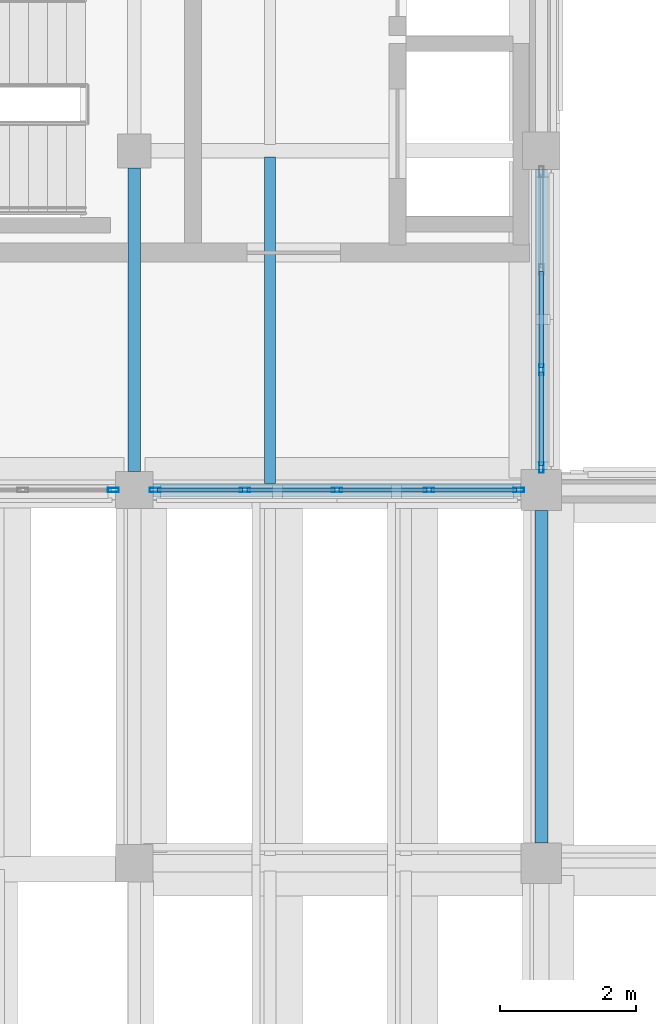
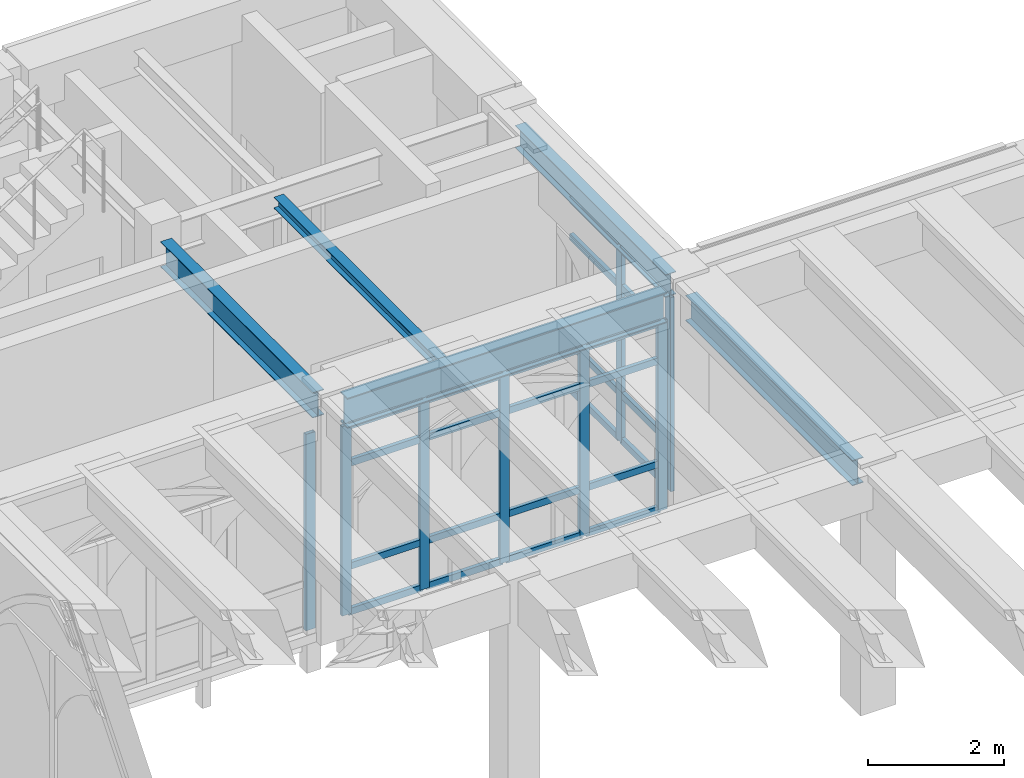
# One storey, part 28 of 127: 32 members, 5 beams, 3 elements without a shape of their own.
"""IFC4 building model written with IfcOpenShell, lengths in metres."""

from ifc_helpers import new_model, si_unit, direction, frame, origin, origin_2d, place, context, subcontext, project, spatial, hollow_rectangle, i_section, extrude, material, layer, layer_set, material_profile, profile_set, type_object, element, aggregate, save


model = new_model("IFC4")

# Units and contexts
model_context = context("Model", 3, precision=1e-05, world=origin(), true_north=direction((0.0, 1.0)))
body_context = subcontext(model_context, "Body", "Model", "MODEL_VIEW")
ifc_project = project(units=[si_unit("LENGTHUNIT", "METRE"), si_unit("AREAUNIT", "SQUARE_METRE"), si_unit("VOLUMEUNIT", "CUBIC_METRE"), si_unit("PLANEANGLEUNIT", "RADIAN"), si_unit("MASSUNIT", "GRAM", prefix="KILO")], contexts=[model_context])

# Site, building, storey
site_placement = place(None, origin())
site = spatial("IfcSite", under=ifc_project, at=site_placement, CompositionType="ELEMENT")
building_placement = place(site_placement, origin())
building = spatial("IfcBuilding", under=site, at=building_placement, Name="Cumevento Cable Car Station", CompositionType="ELEMENT")
storey_placement = place(building_placement, frame((0.0, 0.0, 4.5)))
storey = spatial("IfcBuildingStorey", under=building, at=storey_placement, Name="L02", CompositionType="ELEMENT", Elevation=4.5)

# Curtain wall, member
ifc_material_1 = material(Name="Anodised Bronze Aluminium AW-6063-T6", Category="aluminium")
ifc_layer_1 = layer(ifc_material_1, 0.2080078125)
ifc_layer_set_1 = layer_set([ifc_layer_1], Name="Anodised Bronze Aluminium AW-6063-T6")
curtain_wall_type_1 = type_object("IfcCurtainWallType", Name="Lancet Curtain Wall CW-09 1370", PredefinedType="NOTDEFINED", material=ifc_layer_set_1)
curtain_wall_1_placement = place(storey_placement, origin())
curtain_wall_1 = element("IfcCurtainWall", 1, at=curtain_wall_1_placement, inside=storey, type_object=curtain_wall_type_1, Name="Lancet Curtain Wall CW-09 L02 #56", PredefinedType="NOTDEFINED")
ifc_material_2 = material(Name="Anodised Bronze Aluminium AW-6063-T6", Category="aluminium")
ifc_material_profile_1 = material_profile(ifc_material_2, hollow_rectangle(XDim=0.06494140625, YDim=0.159912109375, WallThickness=0.00390625, at=origin_2d()), Name="ALUM65x160x4")
ifc_profile_set_1 = profile_set([ifc_material_profile_1], Name="Anodised Bronze Aluminium AW-6063-T6")
member_type_1 = type_object("IfcMemberType", Name="Curtain Mullion CWM-01 ALUM65x160x4", PredefinedType="MULLION", material=ifc_profile_set_1)
member_1_placement = place(storey_placement, frame((27.6923828125, 56.5, 0.159912109375), z_axis=(0.0, 0.0, 1.0), x_axis=(0.0, -1.0, 0.0)))
member_1 = element("IfcMember", 2, at=member_1_placement, type_object=member_type_1, Name="CW-09 mullion 1", PredefinedType="MULLION", context=body_context, shape_type="SweptSolid", body=[
    extrude(hollow_rectangle(XDim=0.06494140625, YDim=0.159912109375, WallThickness=0.00390625, at=origin_2d()), origin(), (0.0, 0.0, 1.0), 3.527099609375),
])
aggregate(curtain_wall_1, [member_1])

# Curtain wall, members
ifc_material_3 = material(Name="Anodised Bronze Aluminium AW-6063-T6", Category="aluminium")
ifc_layer_2 = layer(ifc_material_3, 0.214111328125)
ifc_layer_set_2 = layer_set([ifc_layer_2], Name="Anodised Bronze Aluminium AW-6063-T6")
curtain_wall_type_2 = type_object("IfcCurtainWallType", Name="Lancet Curtain Wall CW-10 1410", PredefinedType="NOTDEFINED", material=ifc_layer_set_2)
curtain_wall_2_placement = place(storey_placement, origin())
curtain_wall_2 = element("IfcCurtainWall", 3, at=curtain_wall_2_placement, inside=storey, type_object=curtain_wall_type_2, Name="Lancet Curtain Wall CW-10 L02 #57", PredefinedType="NOTDEFINED")
member_2_placement = place(storey_placement, frame((33.66748046875, 56.5, 0.2099609375), z_axis=(0.0, 0.0, 1.0), x_axis=(0.0, -1.0, 0.0)))
member_2 = element("IfcMember", 4, at=member_2_placement, type_object=member_type_1, Name="CW-10 mullion 1", PredefinedType="MULLION", context=body_context, shape_type="SweptSolid", body=[
    extrude(hollow_rectangle(XDim=0.06494140625, YDim=0.159912109375, WallThickness=0.00390625, at=origin_2d()), origin(), (0.0, 0.0, 1.0), 3.401123046875),
])
member_3_placement = place(storey_placement, frame((32.34375, 56.5, 0.2099609375), z_axis=(0.0, 0.0, 1.0), x_axis=(0.0, -1.0, 0.0)))
member_3 = element("IfcMember", 5, at=member_3_placement, type_object=member_type_1, Name="CW-10 mullion 2", PredefinedType="MULLION", context=body_context, shape_type="SweptSolid", body=[
    extrude(hollow_rectangle(XDim=0.06494140625, YDim=0.159912109375, WallThickness=0.00390625, at=origin_2d()), origin(), (0.0, 0.0, 1.0), 3.401123046875),
])
member_4_placement = place(storey_placement, frame((30.987548828125, 56.5, 0.2099609375), z_axis=(0.0, 0.0, 1.0), x_axis=(0.0, -1.0, 0.0)))
member_4 = element("IfcMember", 6, at=member_4_placement, type_object=member_type_1, Name="CW-10 mullion 3", PredefinedType="MULLION", context=body_context, shape_type="SweptSolid", body=[
    extrude(hollow_rectangle(XDim=0.06494140625, YDim=0.159912109375, WallThickness=0.00390625, at=origin_2d()), origin(), (0.0, 0.0, 1.0), 3.401123046875),
])
member_5_placement = place(storey_placement, frame((29.63134765625, 56.5, 0.2099609375), z_axis=(0.0, 0.0, 1.0), x_axis=(0.0, -1.0, 0.0)))
member_5 = element("IfcMember", 7, at=member_5_placement, type_object=member_type_1, Name="CW-10 mullion 4", PredefinedType="MULLION", context=body_context, shape_type="SweptSolid", body=[
    extrude(hollow_rectangle(XDim=0.06494140625, YDim=0.159912109375, WallThickness=0.00390625, at=origin_2d()), origin(), (0.0, 0.0, 1.0), 3.401123046875),
])
member_6_placement = place(storey_placement, frame((28.3076171875, 56.5, 0.2099609375), z_axis=(0.0, 0.0, 1.0), x_axis=(0.0, -1.0, 0.0)))
member_6 = element("IfcMember", 8, at=member_6_placement, type_object=member_type_1, Name="CW-10 mullion 5", PredefinedType="MULLION", context=body_context, shape_type="SweptSolid", body=[
    extrude(hollow_rectangle(XDim=0.06494140625, YDim=0.159912109375, WallThickness=0.00390625, at=origin_2d()), origin(), (0.0, 0.0, 1.0), 3.401123046875),
])

ifc_material_4 = material(Name="Anodised Bronze Aluminium AW-6063-T6", Category="aluminium")
ifc_layer_3 = layer(ifc_material_4, 0.219970703125)
ifc_layer_set_3 = layer_set([ifc_layer_3], Name="Anodised Bronze Aluminium AW-6063-T6")
curtain_wall_type_3 = type_object("IfcCurtainWallType", Name="Lancet Curtain Wall CW-11 1450", PredefinedType="NOTDEFINED", material=ifc_layer_set_3)
curtain_wall_3_placement = place(storey_placement, origin())
curtain_wall_3 = element("IfcCurtainWall", 9, at=curtain_wall_3_placement, inside=storey, type_object=curtain_wall_type_3, Name="Lancet Curtain Wall CW-11 L02 #58", PredefinedType="NOTDEFINED")
member_7_placement = place(storey_placement, frame((34.0, 58.27490234375, 0.260009765625), z_axis=(0.0, 0.0, 1.0), x_axis=(1.0, 0.0, 0.0)))
member_7 = element("IfcMember", 10, at=member_7_placement, type_object=member_type_1, Name="CW-11 mullion 3", PredefinedType="MULLION", context=body_context, shape_type="SweptSolid", body=[
    extrude(hollow_rectangle(XDim=0.06494140625, YDim=0.159912109375, WallThickness=0.00390625, at=origin_2d()), origin(), (0.0, 0.0, 1.0), 3.48291015625),
])
member_8_placement = place(storey_placement, frame((34.0, 56.83251953125, 0.260009765625), z_axis=(0.0, 0.0, 1.0), x_axis=(1.0, 0.0, 0.0)))
member_8 = element("IfcMember", 11, at=member_8_placement, type_object=member_type_1, Name="CW-11 mullion 4", PredefinedType="MULLION", context=body_context, shape_type="SweptSolid", body=[
    extrude(hollow_rectangle(XDim=0.06494140625, YDim=0.159912109375, WallThickness=0.00390625, at=origin_2d()), origin(), (0.0, 0.0, 1.0), 3.48291015625),
])

# Member
ifc_material_5 = material(Name="Anodised Bronze Aluminium AW-6063-T6", Category="aluminium")
ifc_material_profile_2 = material_profile(ifc_material_5, hollow_rectangle(XDim=0.06494140625, YDim=0.1201171875, WallThickness=0.00390625, at=origin_2d()), Name="ALUT65x120x4")
ifc_profile_set_2 = profile_set([ifc_material_profile_2], Name="Anodised Bronze Aluminium AW-6063-T6")
member_type_2 = type_object("IfcMemberType", Name="Curtain Transom CWT-01 ALUT65x120x4", PredefinedType="USERDEFINED", material=ifc_profile_set_2)
member_9_placement = place(storey_placement, frame((33.635009765625, 56.5, 0.242431640625), z_axis=(-1.0, 0.0, 0.0), x_axis=(0.0, -1.0, 0.0)))
member_9 = element("IfcMember", 12, at=member_9_placement, type_object=member_type_2, Name="CW-10 transom 1.1", ObjectType="TRANSOM", PredefinedType="USERDEFINED", context=body_context, shape_type="SweptSolid", body=[
    extrude(hollow_rectangle(XDim=0.06494140625, YDim=0.1201171875, WallThickness=0.00390625, at=origin_2d()), origin(), (0.0, 0.0, 1.0), 1.2587890625),
])

member_10_placement = place(storey_placement, frame((33.635009765625, 56.5, 1.06005859375), z_axis=(-1.0, 0.0, 0.0), x_axis=(0.0, -1.0, 0.0)))
member_10 = element("IfcMember", 13, at=member_10_placement, type_object=member_type_2, Name="CW-10 transom 1.2", ObjectType="TRANSOM", PredefinedType="USERDEFINED", context=body_context, shape_type="SweptSolid", body=[
    extrude(hollow_rectangle(XDim=0.06494140625, YDim=0.1201171875, WallThickness=0.00390625, at=origin_2d()), origin(), (0.0, 0.0, 1.0), 1.2587890625),
])

member_11_placement = place(storey_placement, frame((33.635009765625, 56.5, 2.910888671875), z_axis=(-1.0, 0.0, 0.0), x_axis=(0.0, -1.0, 0.0)))
member_11 = element("IfcMember", 14, at=member_11_placement, type_object=member_type_2, Name="CW-10 transom 1.3", ObjectType="TRANSOM", PredefinedType="USERDEFINED", context=body_context, shape_type="SweptSolid", body=[
    extrude(hollow_rectangle(XDim=0.06494140625, YDim=0.1201171875, WallThickness=0.00390625, at=origin_2d()), origin(), (0.0, 0.0, 1.0), 1.2587890625),
])

member_12_placement = place(storey_placement, frame((33.635009765625, 56.5, 3.57861328125), z_axis=(-1.0, 0.0, 0.0), x_axis=(0.0, -1.0, 0.0)))
member_12 = element("IfcMember", 15, at=member_12_placement, type_object=member_type_2, Name="CW-10 transom 1.4", ObjectType="TRANSOM", PredefinedType="USERDEFINED", context=body_context, shape_type="SweptSolid", body=[
    extrude(hollow_rectangle(XDim=0.06494140625, YDim=0.1201171875, WallThickness=0.00390625, at=origin_2d()), origin(), (0.0, 0.0, 1.0), 1.2587890625),
])

member_13_placement = place(storey_placement, frame((32.311279296875, 56.5, 0.242431640625), z_axis=(-1.0, 0.0, 0.0), x_axis=(0.0, -1.0, 0.0)))
member_13 = element("IfcMember", 16, at=member_13_placement, type_object=member_type_2, Name="CW-10 transom 2.1", ObjectType="TRANSOM", PredefinedType="USERDEFINED", context=body_context, shape_type="SweptSolid", body=[
    extrude(hollow_rectangle(XDim=0.06494140625, YDim=0.1201171875, WallThickness=0.00390625, at=origin_2d()), origin(), (0.0, 0.0, 1.0), 1.291259765625),
])

member_14_placement = place(storey_placement, frame((32.311279296875, 56.5, 1.06005859375), z_axis=(-1.0, 0.0, 0.0), x_axis=(0.0, -1.0, 0.0)))
member_14 = element("IfcMember", 17, at=member_14_placement, type_object=member_type_2, Name="CW-10 transom 2.2", ObjectType="TRANSOM", PredefinedType="USERDEFINED", context=body_context, shape_type="SweptSolid", body=[
    extrude(hollow_rectangle(XDim=0.06494140625, YDim=0.1201171875, WallThickness=0.00390625, at=origin_2d()), origin(), (0.0, 0.0, 1.0), 1.291259765625),
])

member_15_placement = place(storey_placement, frame((32.311279296875, 56.5, 2.910888671875), z_axis=(-1.0, 0.0, 0.0), x_axis=(0.0, -1.0, 0.0)))
member_15 = element("IfcMember", 18, at=member_15_placement, type_object=member_type_2, Name="CW-10 transom 2.3", ObjectType="TRANSOM", PredefinedType="USERDEFINED", context=body_context, shape_type="SweptSolid", body=[
    extrude(hollow_rectangle(XDim=0.06494140625, YDim=0.1201171875, WallThickness=0.00390625, at=origin_2d()), origin(), (0.0, 0.0, 1.0), 1.291259765625),
])

member_16_placement = place(storey_placement, frame((32.311279296875, 56.5, 3.57861328125), z_axis=(-1.0, 0.0, 0.0), x_axis=(0.0, -1.0, 0.0)))
member_16 = element("IfcMember", 19, at=member_16_placement, type_object=member_type_2, Name="CW-10 transom 2.4", ObjectType="TRANSOM", PredefinedType="USERDEFINED", context=body_context, shape_type="SweptSolid", body=[
    extrude(hollow_rectangle(XDim=0.06494140625, YDim=0.1201171875, WallThickness=0.00390625, at=origin_2d()), origin(), (0.0, 0.0, 1.0), 1.291259765625),
])

member_17_placement = place(storey_placement, frame((30.955078125, 56.5, 0.242431640625), z_axis=(-1.0, 0.0, 0.0), x_axis=(0.0, -1.0, 0.0)))
member_17 = element("IfcMember", 20, at=member_17_placement, type_object=member_type_2, Name="CW-10 transom 3.1", ObjectType="TRANSOM", PredefinedType="USERDEFINED", context=body_context, shape_type="SweptSolid", body=[
    extrude(hollow_rectangle(XDim=0.06494140625, YDim=0.1201171875, WallThickness=0.00390625, at=origin_2d()), origin(), (0.0, 0.0, 1.0), 1.291259765625),
])

member_18_placement = place(storey_placement, frame((30.955078125, 56.5, 1.06005859375), z_axis=(-1.0, 0.0, 0.0), x_axis=(0.0, -1.0, 0.0)))
member_18 = element("IfcMember", 21, at=member_18_placement, type_object=member_type_2, Name="CW-10 transom 3.2", ObjectType="TRANSOM", PredefinedType="USERDEFINED", context=body_context, shape_type="SweptSolid", body=[
    extrude(hollow_rectangle(XDim=0.06494140625, YDim=0.1201171875, WallThickness=0.00390625, at=origin_2d()), origin(), (0.0, 0.0, 1.0), 1.291259765625),
])

member_19_placement = place(storey_placement, frame((30.955078125, 56.5, 2.910888671875), z_axis=(-1.0, 0.0, 0.0), x_axis=(0.0, -1.0, 0.0)))
member_19 = element("IfcMember", 22, at=member_19_placement, type_object=member_type_2, Name="CW-10 transom 3.3", ObjectType="TRANSOM", PredefinedType="USERDEFINED", context=body_context, shape_type="SweptSolid", body=[
    extrude(hollow_rectangle(XDim=0.06494140625, YDim=0.1201171875, WallThickness=0.00390625, at=origin_2d()), origin(), (0.0, 0.0, 1.0), 1.291259765625),
])

member_20_placement = place(storey_placement, frame((30.955078125, 56.5, 3.57861328125), z_axis=(-1.0, 0.0, 0.0), x_axis=(0.0, -1.0, 0.0)))
member_20 = element("IfcMember", 23, at=member_20_placement, type_object=member_type_2, Name="CW-10 transom 3.4", ObjectType="TRANSOM", PredefinedType="USERDEFINED", context=body_context, shape_type="SweptSolid", body=[
    extrude(hollow_rectangle(XDim=0.06494140625, YDim=0.1201171875, WallThickness=0.00390625, at=origin_2d()), origin(), (0.0, 0.0, 1.0), 1.291259765625),
])

member_21_placement = place(storey_placement, frame((29.5986328125, 56.5, 0.242431640625), z_axis=(-1.0, 0.0, 0.0), x_axis=(0.0, -1.0, 0.0)))
member_21 = element("IfcMember", 24, at=member_21_placement, type_object=member_type_2, Name="CW-10 transom 4.1", ObjectType="TRANSOM", PredefinedType="USERDEFINED", context=body_context, shape_type="SweptSolid", body=[
    extrude(hollow_rectangle(XDim=0.06494140625, YDim=0.1201171875, WallThickness=0.00390625, at=origin_2d()), origin(), (0.0, 0.0, 1.0), 1.258544921875),
])

member_22_placement = place(storey_placement, frame((29.5986328125, 56.5, 1.06005859375), z_axis=(-1.0, 0.0, 0.0), x_axis=(0.0, -1.0, 0.0)))
member_22 = element("IfcMember", 25, at=member_22_placement, type_object=member_type_2, Name="CW-10 transom 4.2", ObjectType="TRANSOM", PredefinedType="USERDEFINED", context=body_context, shape_type="SweptSolid", body=[
    extrude(hollow_rectangle(XDim=0.06494140625, YDim=0.1201171875, WallThickness=0.00390625, at=origin_2d()), origin(), (0.0, 0.0, 1.0), 1.258544921875),
])

member_23_placement = place(storey_placement, frame((29.5986328125, 56.5, 2.910888671875), z_axis=(-1.0, 0.0, 0.0), x_axis=(0.0, -1.0, 0.0)))
member_23 = element("IfcMember", 26, at=member_23_placement, type_object=member_type_2, Name="CW-10 transom 4.3", ObjectType="TRANSOM", PredefinedType="USERDEFINED", context=body_context, shape_type="SweptSolid", body=[
    extrude(hollow_rectangle(XDim=0.06494140625, YDim=0.1201171875, WallThickness=0.00390625, at=origin_2d()), origin(), (0.0, 0.0, 1.0), 1.258544921875),
])

member_24_placement = place(storey_placement, frame((29.5986328125, 56.5, 3.57861328125), z_axis=(-1.0, 0.0, 0.0), x_axis=(0.0, -1.0, 0.0)))
member_24 = element("IfcMember", 27, at=member_24_placement, type_object=member_type_2, Name="CW-10 transom 4.4", ObjectType="TRANSOM", PredefinedType="USERDEFINED", context=body_context, shape_type="SweptSolid", body=[
    extrude(hollow_rectangle(XDim=0.06494140625, YDim=0.1201171875, WallThickness=0.00390625, at=origin_2d()), origin(), (0.0, 0.0, 1.0), 1.258544921875),
])

aggregate(curtain_wall_2, [member_2, member_3, member_4, member_5, member_6, member_9, member_10, member_11, member_12, member_13, member_14, member_15, member_16, member_17, member_18, member_19, member_20, member_21, member_22, member_23, member_24])

member_25_placement = place(storey_placement, frame((34.0, 59.717529296875, 0.29248046875), z_axis=(0.0, -1.0, 0.0), x_axis=(1.0, 0.0, 0.0)))
member_25 = element("IfcMember", 28, at=member_25_placement, type_object=member_type_2, Name="CW-11 transom 2.1", ObjectType="TRANSOM", PredefinedType="USERDEFINED", context=body_context, shape_type="SweptSolid", body=[
    extrude(hollow_rectangle(XDim=0.06494140625, YDim=0.1201171875, WallThickness=0.00390625, at=origin_2d()), origin(), (0.0, 0.0, 1.0), 1.409912109375),
])

member_26_placement = place(storey_placement, frame((34.0, 59.717529296875, 1.110107421875), z_axis=(0.0, -1.0, 0.0), x_axis=(1.0, 0.0, 0.0)))
member_26 = element("IfcMember", 29, at=member_26_placement, type_object=member_type_2, Name="CW-11 transom 2.2", ObjectType="TRANSOM", PredefinedType="USERDEFINED", context=body_context, shape_type="SweptSolid", body=[
    extrude(hollow_rectangle(XDim=0.06494140625, YDim=0.1201171875, WallThickness=0.00390625, at=origin_2d()), origin(), (0.0, 0.0, 1.0), 1.409912109375),
])

member_27_placement = place(storey_placement, frame((34.0, 59.717529296875, 3.04296875), z_axis=(0.0, -1.0, 0.0), x_axis=(1.0, 0.0, 0.0)))
member_27 = element("IfcMember", 30, at=member_27_placement, type_object=member_type_2, Name="CW-11 transom 2.3", ObjectType="TRANSOM", PredefinedType="USERDEFINED", context=body_context, shape_type="SweptSolid", body=[
    extrude(hollow_rectangle(XDim=0.06494140625, YDim=0.1201171875, WallThickness=0.00390625, at=origin_2d()), origin(), (0.0, 0.0, 1.0), 1.409912109375),
])

member_28_placement = place(storey_placement, frame((34.0, 59.717529296875, 3.71044921875), z_axis=(0.0, -1.0, 0.0), x_axis=(1.0, 0.0, 0.0)))
member_28 = element("IfcMember", 31, at=member_28_placement, type_object=member_type_2, Name="CW-11 transom 2.4", ObjectType="TRANSOM", PredefinedType="USERDEFINED", context=body_context, shape_type="SweptSolid", body=[
    extrude(hollow_rectangle(XDim=0.06494140625, YDim=0.1201171875, WallThickness=0.00390625, at=origin_2d()), origin(), (0.0, 0.0, 1.0), 1.409912109375),
])

member_29_placement = place(storey_placement, frame((34.0, 58.242431640625, 0.29248046875), z_axis=(0.0, -1.0, 0.0), x_axis=(1.0, 0.0, 0.0)))
member_29 = element("IfcMember", 32, at=member_29_placement, type_object=member_type_2, Name="CW-11 transom 3.1", ObjectType="TRANSOM", PredefinedType="USERDEFINED", context=body_context, shape_type="SweptSolid", body=[
    extrude(hollow_rectangle(XDim=0.06494140625, YDim=0.1201171875, WallThickness=0.00390625, at=origin_2d()), origin(), (0.0, 0.0, 1.0), 1.37744140625),
])

member_30_placement = place(storey_placement, frame((34.0, 58.242431640625, 1.110107421875), z_axis=(0.0, -1.0, 0.0), x_axis=(1.0, 0.0, 0.0)))
member_30 = element("IfcMember", 33, at=member_30_placement, type_object=member_type_2, Name="CW-11 transom 3.2", ObjectType="TRANSOM", PredefinedType="USERDEFINED", context=body_context, shape_type="SweptSolid", body=[
    extrude(hollow_rectangle(XDim=0.06494140625, YDim=0.1201171875, WallThickness=0.00390625, at=origin_2d()), origin(), (0.0, 0.0, 1.0), 1.37744140625),
])

member_31_placement = place(storey_placement, frame((34.0, 58.242431640625, 3.04296875), z_axis=(0.0, -1.0, 0.0), x_axis=(1.0, 0.0, 0.0)))
member_31 = element("IfcMember", 34, at=member_31_placement, type_object=member_type_2, Name="CW-11 transom 3.3", ObjectType="TRANSOM", PredefinedType="USERDEFINED", context=body_context, shape_type="SweptSolid", body=[
    extrude(hollow_rectangle(XDim=0.06494140625, YDim=0.1201171875, WallThickness=0.00390625, at=origin_2d()), origin(), (0.0, 0.0, 1.0), 1.37744140625),
])

member_32_placement = place(storey_placement, frame((34.0, 58.242431640625, 3.71044921875), z_axis=(0.0, -1.0, 0.0), x_axis=(1.0, 0.0, 0.0)))
member_32 = element("IfcMember", 35, at=member_32_placement, type_object=member_type_2, Name="CW-11 transom 3.4", ObjectType="TRANSOM", PredefinedType="USERDEFINED", context=body_context, shape_type="SweptSolid", body=[
    extrude(hollow_rectangle(XDim=0.06494140625, YDim=0.1201171875, WallThickness=0.00390625, at=origin_2d()), origin(), (0.0, 0.0, 1.0), 1.37744140625),
])

aggregate(curtain_wall_3, [member_7, member_8, member_25, member_26, member_27, member_28, member_29, member_30, member_31, member_32])

# Beams
ifc_material_6 = material(Name="Steel ASTM A572 Grade 50", Category="steel")
ifc_material_profile_3 = material_profile(ifc_material_6, i_section(OverallWidth=0.18994140625, OverallDepth=0.45703125, WebThickness=0.009033203125, FlangeThickness=0.014404296875, at=origin_2d()), Name="W460x74.0")
ifc_profile_set_3 = profile_set([ifc_material_profile_3], Name="Steel ASTM A572 Grade 50")
beam_type_1 = type_object("IfcBeamType", Name="Structural Beam BM-04 W460x74.0", PredefinedType="BEAM", material=ifc_profile_set_3)
beam_1_placement = place(storey_placement, frame((34.0, 51.300048828125, 3.92138671875), z_axis=(0.0, 1.0, 0.0), x_axis=(-1.0, 0.0, 0.0)))
element("IfcBeam", 36, at=beam_1_placement, inside=storey, type_object=beam_type_1, Name="Beam BM-04 L02 #569", PredefinedType="BEAM", context=body_context, shape_type="SweptSolid", body=[
    extrude(i_section(OverallWidth=0.18994140625, OverallDepth=0.45703125, WebThickness=0.009033203125, FlangeThickness=0.014404296875, at=origin_2d()), origin(), (0.0, 0.0, 1.0), 4.89990234375),
])
beam_2_placement = place(storey_placement, frame((28.0, 56.77490234375, 3.92138671875), z_axis=(0.0, 1.0, 0.0), x_axis=(-1.0, 0.0, 0.0)))
element("IfcBeam", 37, at=beam_2_placement, inside=storey, type_object=beam_type_1, Name="Beam BM-04 L02 #581", PredefinedType="BEAM", context=body_context, shape_type="SweptSolid", body=[
    extrude(i_section(OverallWidth=0.18994140625, OverallDepth=0.45703125, WebThickness=0.009033203125, FlangeThickness=0.014404296875, at=origin_2d()), origin(), (0.0, 0.0, 1.0), 4.47509765625),
])
ifc_material_7 = material(Name="Steel ASTM A572 Grade 50", Category="steel")
ifc_material_profile_4 = material_profile(ifc_material_7, i_section(OverallWidth=0.2109375, OverallDepth=0.5390625, WebThickness=0.01171875, FlangeThickness=0.018798828125, at=origin_2d()), Name="W530x109.0")
ifc_profile_set_4 = profile_set([ifc_material_profile_4], Name="Steel ASTM A572 Grade 50")
beam_type_2 = type_object("IfcBeamType", Name="Structural Beam BM-11 W530x109.0", PredefinedType="BEAM", material=ifc_profile_set_4)
beam_3_placement = place(storey_placement, frame((28.27490234375, 56.5, 3.880615234375), z_axis=(1.0, 0.0, 0.0), x_axis=(0.0, 1.0, 0.0)))
element("IfcBeam", 38, at=beam_3_placement, inside=storey, type_object=beam_type_2, Name="Beam BM-11 L02 #560", PredefinedType="BEAM", context=body_context, shape_type="SweptSolid", body=[
    extrude(i_section(OverallWidth=0.2109375, OverallDepth=0.5390625, WebThickness=0.01171875, FlangeThickness=0.018798828125, at=origin_2d()), origin(), (0.0, 0.0, 1.0), 5.425048828125),
])
ifc_material_8 = material(Name="Steel ASTM A572 Grade 50", Category="steel")
ifc_material_profile_5 = material_profile(ifc_material_8, i_section(OverallWidth=0.1650390625, OverallDepth=0.200927734375, WebThickness=0.006103515625, FlangeThickness=0.01025390625, at=origin_2d()), Name="W200x35.9")
ifc_profile_set_5 = profile_set([ifc_material_profile_5], Name="Steel ASTM A572 Grade 50")
beam_type_3 = type_object("IfcBeamType", Name="Structural Joist JS-04 W200x35.9", PredefinedType="JOIST", material=ifc_profile_set_5)
beam_4_placement = place(storey_placement, frame((30.0, 56.593505859375, 4.049560546875), z_axis=(0.0, 1.0, 0.0), x_axis=(-1.0, 0.0, 0.0)))
element("IfcBeam", 39, at=beam_4_placement, inside=storey, type_object=beam_type_3, Name="Composite Floor Joist JS-04 L02 #808", PredefinedType="JOIST", context=body_context, shape_type="SweptSolid", body=[
    extrude(i_section(OverallWidth=0.1650390625, OverallDepth=0.200927734375, WebThickness=0.006103515625, FlangeThickness=0.01025390625, at=origin_2d()), origin(), (0.0, 0.0, 1.0), 4.81298828125),
])
ifc_material_9 = material(Name="Steel ASTM A572 Grade 50", Category="steel")
ifc_material_profile_6 = material_profile(ifc_material_9, i_section(OverallWidth=0.177978515625, OverallDepth=0.406982421875, WebThickness=0.0078125, FlangeThickness=0.0126953125, at=origin_2d()), Name="W410x60.0")
ifc_profile_set_6 = profile_set([ifc_material_profile_6], Name="Steel ASTM A572 Grade 50")
beam_type_4 = type_object("IfcBeamType", Name="Structural Spandrel SP-01 W410x60.0", PredefinedType="SPANDREL", material=ifc_profile_set_6)
beam_5_placement = place(storey_placement, frame((34.0, 56.800048828125, 3.946533203125), z_axis=(0.0, 1.0, 0.0), x_axis=(-1.0, 0.0, 0.0)))
element("IfcBeam", 40, at=beam_5_placement, inside=storey, type_object=beam_type_4, Name="Beam SP-01 L02 #583", PredefinedType="SPANDREL", context=body_context, shape_type="SweptSolid", body=[
    extrude(i_section(OverallWidth=0.177978515625, OverallDepth=0.406982421875, WebThickness=0.0078125, FlangeThickness=0.0126953125, at=origin_2d()), origin(), (0.0, 0.0, 1.0), 4.425048828125),
])

save(model, "model.ifc")
